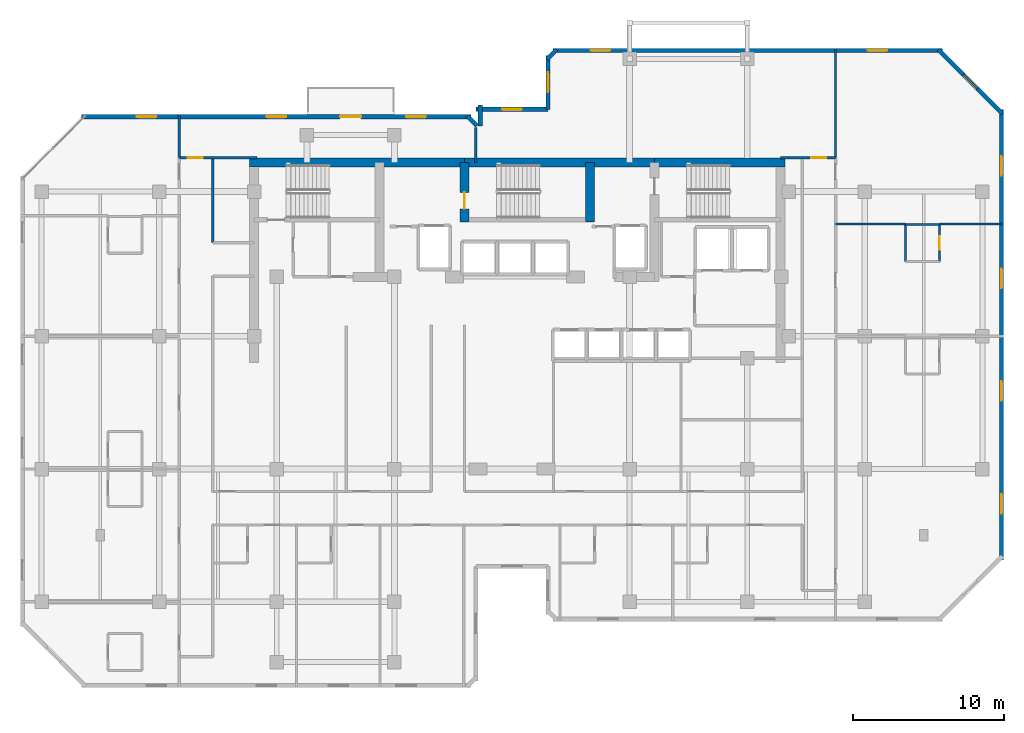
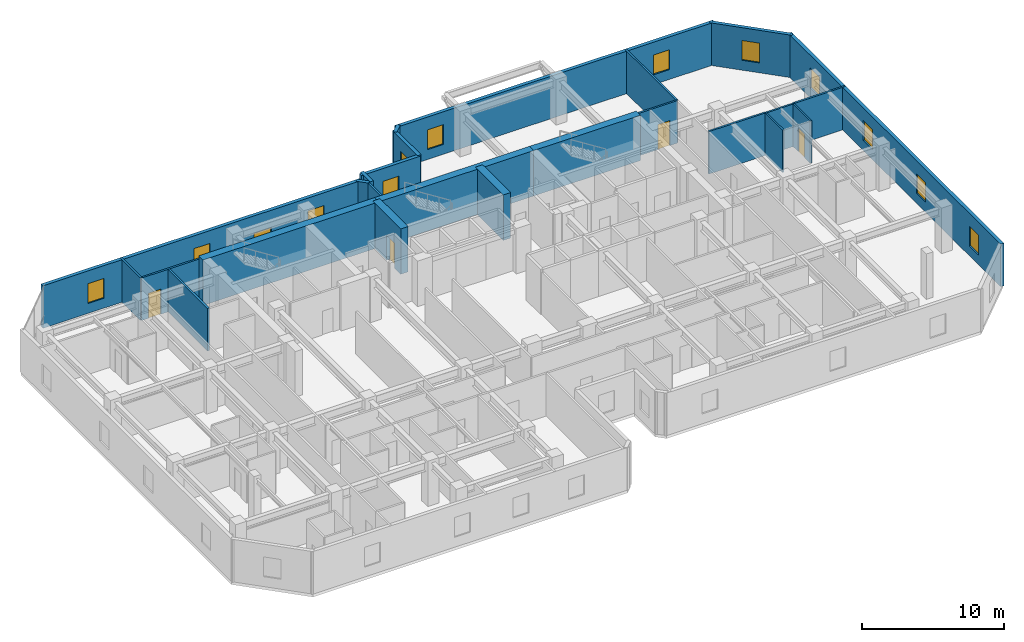
# One storey, part 8 of 10: 25 walls, 12 windows, 5 doors, 17 openings.
"""IFC4 building model written with IfcOpenShell, lengths in metres."""

from ifc_helpers import new_model, si_unit, direction, frame, frame_2d, origin, place, context, subcontext, project, spatial, rectangle, extrude, material, layer, layer_set, type_object, element, fill, save


model = new_model("IFC4")

# Units and contexts
model_context = context("Model", 3, precision=1e-05, world=origin(), true_north=direction((0.0, 1.0)))
body_context = subcontext(model_context, "Body", "Model", "MODEL_VIEW")
ifc_project = project(units=[si_unit("LENGTHUNIT", "METRE"), si_unit("AREAUNIT", "SQUARE_METRE"), si_unit("VOLUMEUNIT", "CUBIC_METRE"), si_unit("PLANEANGLEUNIT", "RADIAN"), si_unit("MASSUNIT", "GRAM", prefix="KILO")], contexts=[model_context])

# Site, building, storey
site_placement = place(None, origin())
site = spatial("IfcSite", under=ifc_project, at=site_placement, CompositionType="ELEMENT")
building_placement = place(site_placement, origin())
building = spatial("IfcBuilding", under=site, at=building_placement, Name="Kestravale Grand Hotel", CompositionType="ELEMENT")
storey_placement = place(building_placement, frame((0.0, 0.0, 216.300048828125)))
storey = spatial("IfcBuildingStorey", under=building, at=storey_placement, Name="L54", CompositionType="ELEMENT", Elevation=216.300048828125)

# Walls
ifc_material_1 = material(Name="Concrete f'c 50 MPa", Category="concrete")
ifc_layer_1 = layer(ifc_material_1, 0.60009765625)
ifc_layer_set_1 = layer_set([ifc_layer_1], Name="EW-CORE-600")
wall_type_1 = type_object("IfcWallType", Name="EW-CORE-600", PredefinedType="SHEAR", material=ifc_layer_set_1)
wall_1_placement = place(storey_placement, frame((21.60009765625, 40.320068359375, 0.0), z_axis=(0.0, 0.0, 1.0), x_axis=(1.0, 0.0, 0.0)))
element("IfcWall", 1, at=wall_1_placement, inside=storey, type_object=wall_type_1, Name="L54 core shear wall N1", PredefinedType="SHEAR", context=body_context, shape_type="SweptSolid", body=[
    extrude(rectangle(XDim=14.25, YDim=0.60009765625, at=frame_2d((7.125, 0.0))), origin(), (0.0, 0.0, 1.0), 3.89990234375),
])
wall_2_placement = place(storey_placement, frame((35.85009765625, 40.320068359375, 0.0), z_axis=(0.0, 0.0, 1.0), x_axis=(1.0, 0.0, 0.0)))
element("IfcWall", 2, at=wall_2_placement, inside=storey, type_object=wall_type_1, Name="L54 core shear wall N2", PredefinedType="SHEAR", context=body_context, shape_type="SweptSolid", body=[
    extrude(rectangle(XDim=12.599853515625, YDim=0.60009765625, at=frame_2d((6.2998046875, 0.0))), origin(), (0.0, 0.0, 1.0), 3.89990234375),
])
wall_3_placement = place(storey_placement, frame((48.449951171875, 40.320068359375, 0.0), z_axis=(0.0, 0.0, 1.0), x_axis=(1.0, 0.0, 0.0)))
element("IfcWall", 3, at=wall_3_placement, inside=storey, type_object=wall_type_1, Name="L54 core shear wall N3", PredefinedType="SHEAR", context=body_context, shape_type="SweptSolid", body=[
    extrude(rectangle(XDim=8.670166015625, YDim=0.60009765625, at=frame_2d((4.3349609375, 0.0))), origin(), (0.0, 0.0, 1.0), 3.89990234375),
])

# Wall, opening, door
wall_4_placement = place(storey_placement, frame((35.85009765625, 36.3701171875, 0.0), z_axis=(0.0, 0.0, 1.0), x_axis=(0.0, 1.0, 0.0)))
wall_4 = element("IfcWall", 4, at=wall_4_placement, inside=storey, type_object=wall_type_1, Name="L54 core shear wall X2", PredefinedType="SHEAR", context=body_context, shape_type="SweptSolid", body=[
    extrude(rectangle(XDim=3.949951171875, YDim=0.60009765625, at=frame_2d((1.97509765625, 0.0))), origin(), (0.0, 0.0, 1.0), 3.89990234375),
])
opening_1_placement = place(wall_4_placement, frame((0.8798828125, 0.0, 0.0)))
opening_1 = element("IfcOpeningElement", 5, at=opening_1_placement, cuts=wall_4, Name="Opening D-ST-1100", PredefinedType="OPENING", context=body_context, shape_type="SweptSolid", body=[
    extrude(rectangle(XDim=1.10009765625, YDim=2.14990234375, at=frame_2d((0.550048828125, 1.074951171875))), frame((0.0, 0.31005859375, 0.0), z_axis=(0.0, -1.0, 0.0), x_axis=(1.0, 0.0, 0.0)), (0.0, 0.0, 1.0), 0.6201171875),
])
ifc_material_2 = material(Name="Galvanised 90-minute fire-rated steel stair door", Category="steel")
door_type_1 = type_object("IfcDoorType", Name="D-ST-1100", OperationType="NOTDEFINED", PredefinedType="DOOR", material=ifc_material_2)
door_1_placement = place(opening_1_placement, origin())
door_1 = element("IfcDoor", 6, at=door_1_placement, inside=storey, type_object=door_type_1, Name="L54 Stair ST-2 FSAE fire door", OperationType="SINGLE_SWING_RIGHT", OverallHeight=2.14990234375, OverallWidth=1.10009765625, PredefinedType="DOOR", context=body_context, shape_type="SweptSolid", body=[
    extrude(rectangle(XDim=1.10009765625, YDim=2.14990234375, at=frame_2d((0.550048828125, 1.074951171875))), frame((0.0, 0.02490234375, 0.0), z_axis=(0.0, -1.0, 0.0), x_axis=(1.0, 0.0, 0.0)), (0.0, 0.0, 1.0), 0.050048828125),
])
fill(opening_1, door_1)

# Wall
wall_5_placement = place(storey_placement, frame((44.179931640625, 36.3701171875, 0.0), z_axis=(0.0, 0.0, 1.0), x_axis=(0.0, 1.0, 0.0)))
element("IfcWall", 7, at=wall_5_placement, inside=storey, type_object=wall_type_1, Name="L54 core shear wall X3", PredefinedType="SHEAR", context=body_context, shape_type="SweptSolid", body=[
    extrude(rectangle(XDim=3.949951171875, YDim=0.60009765625, at=frame_2d((1.97509765625, 0.0))), origin(), (0.0, 0.0, 1.0), 3.89990234375),
])

# Wall, openings, windows
ifc_material_3 = material(Name="Precast concrete f'c 45 MPa", Category="concrete")
ifc_layer_2 = layer(ifc_material_3, 0.280029296875)
ifc_layer_set_2 = layer_set([ifc_layer_2], Name="EW-PREC-280")
wall_type_2 = type_object("IfcWallType", Name="EW-PREC-280", PredefinedType="SOLIDWALL", material=ifc_layer_set_2)
wall_6_placement = place(storey_placement, frame((71.4599609375, 13.9599609375, 0.0), z_axis=(0.0, 0.0, 1.0), x_axis=(0.0, 1.0, 0.0)))
wall_6 = element("IfcWall", 8, at=wall_6_placement, inside=storey, type_object=wall_type_2, Name="L54 fluted precast facade wall 9", PredefinedType="SOLIDWALL", context=body_context, shape_type="SweptSolid", body=[
    extrude(rectangle(XDim=29.880126953125, YDim=0.280029296875, at=frame_2d((14.93994140625, 0.0))), origin(), (0.0, 0.0, 1.0), 3.64990234375),
])
opening_2_placement = place(wall_6_placement, frame((3.0849609375, 0.0, 0.85009765625)))
opening_2 = element("IfcOpeningElement", 9, at=opening_2_placement, cuts=wall_6, Name="Opening W-GUEST-1300", PredefinedType="OPENING", context=body_context, shape_type="SweptSolid", body=[
    extrude(rectangle(XDim=1.300048828125, YDim=1.699951171875, at=frame_2d((0.64990234375, 0.85009765625))), frame((0.0, 0.14990234375, 0.0), z_axis=(0.0, -1.0, 0.0), x_axis=(1.0, 0.0, 0.0)), (0.0, 0.0, 1.0), 0.300048828125),
])
opening_3_placement = place(wall_6_placement, frame((10.554931640625, 0.0, 0.85009765625)))
opening_3 = element("IfcOpeningElement", 10, at=opening_3_placement, cuts=wall_6, Name="Opening W-GUEST-1300", PredefinedType="OPENING", context=body_context, shape_type="SweptSolid", body=[
    extrude(rectangle(XDim=1.300048828125, YDim=1.699951171875, at=frame_2d((0.64990234375, 0.85009765625))), frame((0.0, 0.14990234375, 0.0), z_axis=(0.0, -1.0, 0.0), x_axis=(1.0, 0.0, 0.0)), (0.0, 0.0, 1.0), 0.300048828125),
])
opening_4_placement = place(wall_6_placement, frame((18.02490234375, 0.0, 0.85009765625)))
opening_4 = element("IfcOpeningElement", 11, at=opening_4_placement, cuts=wall_6, Name="Opening W-GUEST-1300", PredefinedType="OPENING", context=body_context, shape_type="SweptSolid", body=[
    extrude(rectangle(XDim=1.300048828125, YDim=1.699951171875, at=frame_2d((0.64990234375, 0.85009765625))), frame((0.0, 0.14990234375, 0.0), z_axis=(0.0, -1.0, 0.0), x_axis=(1.0, 0.0, 0.0)), (0.0, 0.0, 1.0), 0.300048828125),
])
opening_5_placement = place(wall_6_placement, frame((25.4951171875, 0.0, 0.85009765625)))
opening_5 = element("IfcOpeningElement", 12, at=opening_5_placement, cuts=wall_6, Name="Opening W-GUEST-1300", PredefinedType="OPENING", context=body_context, shape_type="SweptSolid", body=[
    extrude(rectangle(XDim=1.300048828125, YDim=1.699951171875, at=frame_2d((0.64990234375, 0.85009765625))), frame((0.0, 0.14990234375, 0.0), z_axis=(0.0, -1.0, 0.0), x_axis=(1.0, 0.0, 0.0)), (0.0, 0.0, 1.0), 0.300048828125),
])
ifc_material_4 = material(Name="Insulated low-E double glazing in aluminium frame", Category="aluminium")
window_type = type_object("IfcWindowType", Name="W-GUEST-1300", PartitioningType="SINGLE_PANEL", PredefinedType="WINDOW", material=ifc_material_4)
window_1_placement = place(opening_2_placement, origin())
window_1 = element("IfcWindow", 13, at=window_1_placement, inside=storey, type_object=window_type, Name="L54 exterior window 9.1", OverallHeight=1.699951171875, OverallWidth=1.300048828125, PartitioningType="SINGLE_PANEL", PredefinedType="WINDOW", context=body_context, shape_type="SweptSolid", body=[
    extrude(rectangle(XDim=1.300048828125, YDim=1.699951171875, at=frame_2d((0.64990234375, 0.85009765625))), frame((0.0, 0.030029296875, 0.0), z_axis=(0.0, -1.0, 0.0), x_axis=(1.0, 0.0, 0.0)), (0.0, 0.0, 1.0), 0.06005859375),
])
fill(opening_2, window_1)
window_2_placement = place(opening_3_placement, origin())
window_2 = element("IfcWindow", 14, at=window_2_placement, inside=storey, type_object=window_type, Name="L54 exterior window 9.2", OverallHeight=1.699951171875, OverallWidth=1.300048828125, PartitioningType="SINGLE_PANEL", PredefinedType="WINDOW", context=body_context, shape_type="SweptSolid", body=[
    extrude(rectangle(XDim=1.300048828125, YDim=1.699951171875, at=frame_2d((0.64990234375, 0.85009765625))), frame((0.0, 0.030029296875, 0.0), z_axis=(0.0, -1.0, 0.0), x_axis=(1.0, 0.0, 0.0)), (0.0, 0.0, 1.0), 0.06005859375),
])
fill(opening_3, window_2)
window_3_placement = place(opening_4_placement, origin())
window_3 = element("IfcWindow", 15, at=window_3_placement, inside=storey, type_object=window_type, Name="L54 exterior window 9.3", OverallHeight=1.699951171875, OverallWidth=1.300048828125, PartitioningType="SINGLE_PANEL", PredefinedType="WINDOW", context=body_context, shape_type="SweptSolid", body=[
    extrude(rectangle(XDim=1.300048828125, YDim=1.699951171875, at=frame_2d((0.64990234375, 0.85009765625))), frame((0.0, 0.030029296875, 0.0), z_axis=(0.0, -1.0, 0.0), x_axis=(1.0, 0.0, 0.0)), (0.0, 0.0, 1.0), 0.06005859375),
])
fill(opening_4, window_3)
window_4_placement = place(opening_5_placement, origin())
window_4 = element("IfcWindow", 16, at=window_4_placement, inside=storey, type_object=window_type, Name="L54 exterior window 9.4", OverallHeight=1.699951171875, OverallWidth=1.300048828125, PartitioningType="SINGLE_PANEL", PredefinedType="WINDOW", context=body_context, shape_type="SweptSolid", body=[
    extrude(rectangle(XDim=1.300048828125, YDim=1.699951171875, at=frame_2d((0.64990234375, 0.85009765625))), frame((0.0, 0.030029296875, 0.0), z_axis=(0.0, -1.0, 0.0), x_axis=(1.0, 0.0, 0.0)), (0.0, 0.0, 1.0), 0.06005859375),
])
fill(opening_5, window_4)

# Wall, opening, window
wall_7_placement = place(storey_placement, frame((71.529296875, 43.57275390625, 0.0), z_axis=(0.0, 0.0, 1.0), x_axis=(-0.707106781187, 0.707106781187, 0.0)))
wall_7 = element("IfcWall", 17, at=wall_7_placement, inside=storey, type_object=wall_type_2, Name="L54 fluted precast facade wall 10", PredefinedType="SOLIDWALL", context=body_context, shape_type="SweptSolid", body=[
    extrude(rectangle(XDim=6.019775390625, YDim=0.280029296875, at=frame_2d((3.009765625, 0.0))), origin(), (0.0, 0.0, 1.0), 3.64990234375),
])
opening_6_placement = place(wall_7_placement, frame((2.35986328125, 0.0, 0.85009765625)))
opening_6 = element("IfcOpeningElement", 18, at=opening_6_placement, cuts=wall_7, Name="Opening W-GUEST-1300", PredefinedType="OPENING", context=body_context, shape_type="SweptSolid", body=[
    extrude(rectangle(XDim=1.300048828125, YDim=1.699951171875, at=frame_2d((0.64990234375, 0.85009765625))), frame((0.0, 0.14990234375, 0.0), z_axis=(0.0, -1.0, 0.0), x_axis=(1.0, 0.0, 0.0)), (0.0, 0.0, 1.0), 0.300048828125),
])
window_5_placement = place(opening_6_placement, origin())
window_5 = element("IfcWindow", 19, at=window_5_placement, inside=storey, type_object=window_type, Name="L54 exterior window 10.1", OverallHeight=1.699951171875, OverallWidth=1.300048828125, PartitioningType="SINGLE_PANEL", PredefinedType="WINDOW", context=body_context, shape_type="SweptSolid", body=[
    extrude(rectangle(XDim=1.300048828125, YDim=1.699951171875, at=frame_2d((0.64990234375, 0.85009765625))), frame((0.0, 0.030029296875, 0.0), z_axis=(0.0, -1.0, 0.0), x_axis=(1.0, 0.0, 0.0)), (0.0, 0.0, 1.0), 0.06005859375),
])
fill(opening_6, window_5)

# Wall, openings, windows
wall_8_placement = place(storey_placement, frame((67.5400390625, 47.760009765625, 0.0), z_axis=(0.0, 0.0, 1.0), x_axis=(-1.0, 0.0, 0.0)))
wall_8 = element("IfcWall", 20, at=wall_8_placement, inside=storey, type_object=wall_type_2, Name="L54 fluted precast facade wall 11", PredefinedType="SOLIDWALL", context=body_context, shape_type="SweptSolid", body=[
    extrude(rectangle(XDim=25.830078125, YDim=0.280029296875, at=frame_2d((12.9150390625, 0.0))), origin(), (0.0, 0.0, 1.0), 3.64990234375),
])
opening_7_placement = place(wall_8_placement, frame((3.655029296875, 0.0, 0.85009765625)))
opening_7 = element("IfcOpeningElement", 21, at=opening_7_placement, cuts=wall_8, Name="Opening W-GUEST-1300", PredefinedType="OPENING", context=body_context, shape_type="SweptSolid", body=[
    extrude(rectangle(XDim=1.300048828125, YDim=1.699951171875, at=frame_2d((0.64990234375, 0.85009765625))), frame((0.0, 0.14990234375, 0.0), z_axis=(0.0, -1.0, 0.0), x_axis=(1.0, 0.0, 0.0)), (0.0, 0.0, 1.0), 0.300048828125),
])
opening_8_placement = place(wall_8_placement, frame((22.02490234375, 0.0, 0.85009765625)))
opening_8 = element("IfcOpeningElement", 22, at=opening_8_placement, cuts=wall_8, Name="Opening W-GUEST-1300", PredefinedType="OPENING", context=body_context, shape_type="SweptSolid", body=[
    extrude(rectangle(XDim=1.300048828125, YDim=1.699951171875, at=frame_2d((0.64990234375, 0.85009765625))), frame((0.0, 0.14990234375, 0.0), z_axis=(0.0, -1.0, 0.0), x_axis=(1.0, 0.0, 0.0)), (0.0, 0.0, 1.0), 0.300048828125),
])
window_6_placement = place(opening_7_placement, origin())
window_6 = element("IfcWindow", 23, at=window_6_placement, inside=storey, type_object=window_type, Name="L54 exterior window 11.1", OverallHeight=1.699951171875, OverallWidth=1.300048828125, PartitioningType="SINGLE_PANEL", PredefinedType="WINDOW", context=body_context, shape_type="SweptSolid", body=[
    extrude(rectangle(XDim=1.300048828125, YDim=1.699951171875, at=frame_2d((0.64990234375, 0.85009765625))), frame((0.0, 0.030029296875, 0.0), z_axis=(0.0, -1.0, 0.0), x_axis=(1.0, 0.0, 0.0)), (0.0, 0.0, 1.0), 0.06005859375),
])
fill(opening_7, window_6)
window_7_placement = place(opening_8_placement, origin())
window_7 = element("IfcWindow", 24, at=window_7_placement, inside=storey, type_object=window_type, Name="L54 exterior window 11.2", OverallHeight=1.699951171875, OverallWidth=1.300048828125, PartitioningType="SINGLE_PANEL", PredefinedType="WINDOW", context=body_context, shape_type="SweptSolid", body=[
    extrude(rectangle(XDim=1.300048828125, YDim=1.699951171875, at=frame_2d((0.64990234375, 0.85009765625))), frame((0.0, 0.030029296875, 0.0), z_axis=(0.0, -1.0, 0.0), x_axis=(1.0, 0.0, 0.0)), (0.0, 0.0, 1.0), 0.06005859375),
])
fill(opening_8, window_7)

# Wall
wall_9_placement = place(storey_placement, frame((41.977294921875, 47.829345703125, 0.0), z_axis=(0.0, 0.0, 1.0), x_axis=(-0.706975312048, -0.707238225886, 0.0)))
element("IfcWall", 25, at=wall_9_placement, inside=storey, type_object=wall_type_2, Name="L54 fluted precast facade wall 12", PredefinedType="SOLIDWALL", context=body_context, shape_type="SweptSolid", body=[
    extrude(rectangle(XDim=0.9287109375, YDim=0.280029296875, at=frame_2d((0.46435546875, 0.0))), origin(), (0.0, 0.0, 1.0), 3.64990234375),
])

# Wall, opening, window
wall_10_placement = place(storey_placement, frame((41.389892578125, 47.43994140625, 0.0), z_axis=(0.0, 0.0, 1.0), x_axis=(0.0, -1.0, 0.0)))
wall_10 = element("IfcWall", 26, at=wall_10_placement, inside=storey, type_object=wall_type_2, Name="L54 fluted precast facade wall 13", PredefinedType="SOLIDWALL", context=body_context, shape_type="SweptSolid", body=[
    extrude(rectangle(XDim=3.579833984375, YDim=0.280029296875, at=frame_2d((1.7900390625, 0.0))), origin(), (0.0, 0.0, 1.0), 3.64990234375),
])
opening_9_placement = place(wall_10_placement, frame((1.139892578125, 0.0, 0.85009765625)))
opening_9 = element("IfcOpeningElement", 27, at=opening_9_placement, cuts=wall_10, Name="Opening W-GUEST-1300", PredefinedType="OPENING", context=body_context, shape_type="SweptSolid", body=[
    extrude(rectangle(XDim=1.300048828125, YDim=1.699951171875, at=frame_2d((0.64990234375, 0.85009765625))), frame((0.0, 0.14990234375, 0.0), z_axis=(0.0, -1.0, 0.0), x_axis=(1.0, 0.0, 0.0)), (0.0, 0.0, 1.0), 0.300048828125),
])
window_8_placement = place(opening_9_placement, origin())
window_8 = element("IfcWindow", 28, at=window_8_placement, inside=storey, type_object=window_type, Name="L54 exterior window 13.1", OverallHeight=1.699951171875, OverallWidth=1.300048828125, PartitioningType="SINGLE_PANEL", PredefinedType="WINDOW", context=body_context, shape_type="SweptSolid", body=[
    extrude(rectangle(XDim=1.300048828125, YDim=1.699951171875, at=frame_2d((0.64990234375, 0.85009765625))), frame((0.0, 0.030029296875, 0.0), z_axis=(0.0, -1.0, 0.0), x_axis=(1.0, 0.0, 0.0)), (0.0, 0.0, 1.0), 0.06005859375),
])
fill(opening_9, window_8)

wall_11_placement = place(storey_placement, frame((41.389892578125, 43.860107421875, 0.0), z_axis=(0.0, 0.0, 1.0), x_axis=(-1.0, 0.0, 0.0)))
wall_11 = element("IfcWall", 29, at=wall_11_placement, inside=storey, type_object=wall_type_2, Name="L54 fluted precast facade wall 14", PredefinedType="SOLIDWALL", context=body_context, shape_type="SweptSolid", body=[
    extrude(rectangle(XDim=4.77978515625, YDim=0.280029296875, at=frame_2d((2.389892578125, 0.0))), origin(), (0.0, 0.0, 1.0), 3.64990234375),
])
opening_10_placement = place(wall_11_placement, frame((1.739990234375, 0.0, 0.85009765625)))
opening_10 = element("IfcOpeningElement", 30, at=opening_10_placement, cuts=wall_11, Name="Opening W-GUEST-1300", PredefinedType="OPENING", context=body_context, shape_type="SweptSolid", body=[
    extrude(rectangle(XDim=1.300048828125, YDim=1.699951171875, at=frame_2d((0.64990234375, 0.85009765625))), frame((0.0, 0.14990234375, 0.0), z_axis=(0.0, -1.0, 0.0), x_axis=(1.0, 0.0, 0.0)), (0.0, 0.0, 1.0), 0.300048828125),
])
window_9_placement = place(opening_10_placement, origin())
window_9 = element("IfcWindow", 31, at=window_9_placement, inside=storey, type_object=window_type, Name="L54 exterior window 14.1", OverallHeight=1.699951171875, OverallWidth=1.300048828125, PartitioningType="SINGLE_PANEL", PredefinedType="WINDOW", context=body_context, shape_type="SweptSolid", body=[
    extrude(rectangle(XDim=1.300048828125, YDim=1.699951171875, at=frame_2d((0.64990234375, 0.85009765625))), frame((0.0, 0.030029296875, 0.0), z_axis=(0.0, -1.0, 0.0), x_axis=(1.0, 0.0, 0.0)), (0.0, 0.0, 1.0), 0.06005859375),
])
fill(opening_10, window_9)

# Walls
wall_12_placement = place(storey_placement, frame((36.889892578125, 44.139892578125, 0.0), z_axis=(0.0, 0.0, 1.0), x_axis=(0.0, -1.0, 0.0)))
element("IfcWall", 32, at=wall_12_placement, inside=storey, type_object=wall_type_2, Name="L54 fluted precast facade wall 15", PredefinedType="SOLIDWALL", context=body_context, shape_type="SweptSolid", body=[
    extrude(rectangle(XDim=1.3798828125, YDim=0.280029296875, at=frame_2d((0.68994140625, 0.0))), origin(), (0.0, 0.0, 1.0), 3.64990234375),
])
wall_13_placement = place(storey_placement, frame((36.67919921875, 42.772705078125, 0.0), z_axis=(0.0, 0.0, 1.0), x_axis=(-0.707106781187, 0.707106781187, 0.0)))
element("IfcWall", 33, at=wall_13_placement, inside=storey, type_object=wall_type_2, Name="L54 fluted precast facade wall 16", PredefinedType="SOLIDWALL", context=body_context, shape_type="SweptSolid", body=[
    extrude(rectangle(XDim=0.928466796875, YDim=0.280029296875, at=frame_2d((0.46435546875, 0.0))), origin(), (0.0, 0.0, 1.0), 3.64990234375),
])

# Wall, openings, door, windows
wall_14_placement = place(storey_placement, frame((36.2900390625, 43.360107421875, 0.0), z_axis=(0.0, 0.0, 1.0), x_axis=(-1.0, 0.0, 0.0)))
wall_14 = element("IfcWall", 34, at=wall_14_placement, inside=storey, type_object=wall_type_2, Name="L54 fluted precast facade wall 17", PredefinedType="SOLIDWALL", context=body_context, shape_type="SweptSolid", body=[
    extrude(rectangle(XDim=25.830078125, YDim=0.280029296875, at=frame_2d((12.9150390625, 0.0))), origin(), (0.0, 0.0, 1.0), 3.64990234375),
])
opening_11_placement = place(wall_14_placement, frame((7.2900390625, 0.0, 0.0)))
opening_11 = element("IfcOpeningElement", 35, at=opening_11_placement, cuts=wall_14, Name="Opening D-TERR-1400", PredefinedType="OPENING", context=body_context, shape_type="SweptSolid", body=[
    extrude(rectangle(XDim=1.39990234375, YDim=2.14990234375, at=frame_2d((0.699951171875, 1.074951171875))), frame((0.0, 0.14990234375, 0.0), z_axis=(0.0, -1.0, 0.0), x_axis=(1.0, 0.0, 0.0)), (0.0, 0.0, 1.0), 0.300048828125),
])
opening_12_placement = place(wall_14_placement, frame((3.0048828125, 0.0, 0.85009765625)))
opening_12 = element("IfcOpeningElement", 36, at=opening_12_placement, cuts=wall_14, Name="Opening W-GUEST-1300", PredefinedType="OPENING", context=body_context, shape_type="SweptSolid", body=[
    extrude(rectangle(XDim=1.300048828125, YDim=1.699951171875, at=frame_2d((0.64990234375, 0.85009765625))), frame((0.0, 0.14990234375, 0.0), z_axis=(0.0, -1.0, 0.0), x_axis=(1.0, 0.0, 0.0)), (0.0, 0.0, 1.0), 0.300048828125),
])
opening_13_placement = place(wall_14_placement, frame((12.264892578125, 0.0, 0.85009765625)))
opening_13 = element("IfcOpeningElement", 37, at=opening_13_placement, cuts=wall_14, Name="Opening W-GUEST-1300", PredefinedType="OPENING", context=body_context, shape_type="SweptSolid", body=[
    extrude(rectangle(XDim=1.300048828125, YDim=1.699951171875, at=frame_2d((0.64990234375, 0.85009765625))), frame((0.0, 0.14990234375, 0.0), z_axis=(0.0, -1.0, 0.0), x_axis=(1.0, 0.0, 0.0)), (0.0, 0.0, 1.0), 0.300048828125),
])
opening_14_placement = place(wall_14_placement, frame((20.875, 0.0, 0.85009765625)))
opening_14 = element("IfcOpeningElement", 38, at=opening_14_placement, cuts=wall_14, Name="Opening W-GUEST-1300", PredefinedType="OPENING", context=body_context, shape_type="SweptSolid", body=[
    extrude(rectangle(XDim=1.300048828125, YDim=1.699951171875, at=frame_2d((0.64990234375, 0.85009765625))), frame((0.0, 0.14990234375, 0.0), z_axis=(0.0, -1.0, 0.0), x_axis=(1.0, 0.0, 0.0)), (0.0, 0.0, 1.0), 0.300048828125),
])
ifc_material_5 = material(Name="Insulated glazed champagne-bronze aluminium door", Category="aluminium")
door_type_2 = type_object("IfcDoorType", Name="D-TERR-1400", OperationType="NOTDEFINED", PredefinedType="DOOR", material=ifc_material_5)
door_2_placement = place(opening_11_placement, origin())
door_2 = element("IfcDoor", 39, at=door_2_placement, inside=storey, type_object=door_type_2, Name="L54 outdoor garden terrace door", OperationType="DOUBLE_DOOR_SINGLE_SWING", OverallHeight=2.14990234375, OverallWidth=1.39990234375, PredefinedType="DOOR", context=body_context, shape_type="SweptSolid", body=[
    extrude(rectangle(XDim=1.39990234375, YDim=2.14990234375, at=frame_2d((0.699951171875, 1.074951171875))), frame((0.0, 0.02490234375, 0.0), z_axis=(0.0, -1.0, 0.0), x_axis=(1.0, 0.0, 0.0)), (0.0, 0.0, 1.0), 0.050048828125),
])
fill(opening_11, door_2)
window_10_placement = place(opening_12_placement, origin())
window_10 = element("IfcWindow", 40, at=window_10_placement, inside=storey, type_object=window_type, Name="L54 exterior window 17.1", OverallHeight=1.699951171875, OverallWidth=1.300048828125, PartitioningType="SINGLE_PANEL", PredefinedType="WINDOW", context=body_context, shape_type="SweptSolid", body=[
    extrude(rectangle(XDim=1.300048828125, YDim=1.699951171875, at=frame_2d((0.64990234375, 0.85009765625))), frame((0.0, 0.030029296875, 0.0), z_axis=(0.0, -1.0, 0.0), x_axis=(1.0, 0.0, 0.0)), (0.0, 0.0, 1.0), 0.06005859375),
])
fill(opening_12, window_10)
window_11_placement = place(opening_13_placement, origin())
window_11 = element("IfcWindow", 41, at=window_11_placement, inside=storey, type_object=window_type, Name="L54 exterior window 17.2", OverallHeight=1.699951171875, OverallWidth=1.300048828125, PartitioningType="SINGLE_PANEL", PredefinedType="WINDOW", context=body_context, shape_type="SweptSolid", body=[
    extrude(rectangle(XDim=1.300048828125, YDim=1.699951171875, at=frame_2d((0.64990234375, 0.85009765625))), frame((0.0, 0.030029296875, 0.0), z_axis=(0.0, -1.0, 0.0), x_axis=(1.0, 0.0, 0.0)), (0.0, 0.0, 1.0), 0.06005859375),
])
fill(opening_13, window_11)
window_12_placement = place(opening_14_placement, origin())
window_12 = element("IfcWindow", 42, at=window_12_placement, inside=storey, type_object=window_type, Name="L54 exterior window 17.3", OverallHeight=1.699951171875, OverallWidth=1.300048828125, PartitioningType="SINGLE_PANEL", PredefinedType="WINDOW", context=body_context, shape_type="SweptSolid", body=[
    extrude(rectangle(XDim=1.300048828125, YDim=1.699951171875, at=frame_2d((0.64990234375, 0.85009765625))), frame((0.0, 0.030029296875, 0.0), z_axis=(0.0, -1.0, 0.0), x_axis=(1.0, 0.0, 0.0)), (0.0, 0.0, 1.0), 0.06005859375),
])
fill(opening_14, window_12)

# Walls
ifc_material_6 = material(Name="Acoustic fire-rated gypsum board partition", Category="other")
ifc_layer_3 = layer(ifc_material_6, 0.159912109375)
ifc_layer_set_3 = layer_set([ifc_layer_3], Name="IW-CORR-160")
wall_type_3 = type_object("IfcWallType", Name="IW-CORR-160", PredefinedType="PARTITIONING", material=ifc_layer_set_3)
wall_15_placement = place(storey_placement, frame((19.159912109375, 35.02001953125, 0.0), z_axis=(0.0, 0.0, 1.0), x_axis=(0.0, 1.0, 0.0)))
element("IfcWall", 43, at=wall_15_placement, inside=storey, type_object=wall_type_3, Name="W-L54-SW-EN", PredefinedType="PARTITIONING", context=body_context, shape_type="SweptSolid", body=[
    extrude(rectangle(XDim=5.6298828125, YDim=0.159912109375, at=frame_2d((2.81494140625, 0.0))), origin(), (0.0, 0.0, 1.0), 3.64990234375),
])
ifc_material_7 = material(Name="Moisture-resistant tile-backer plumbing chase wall", Category="other")
ifc_layer_4 = layer(ifc_material_7, 0.139892578125)
ifc_layer_set_4 = layer_set([ifc_layer_4], Name="IW-PLB-140")
wall_type_4 = type_object("IfcWallType", Name="IW-PLB-140", PredefinedType="PLUMBINGWALL", material=ifc_layer_set_4)
wall_16_placement = place(storey_placement, frame((65.10009765625, 33.760009765625, 0.0), z_axis=(0.0, 0.0, 1.0), x_axis=(0.0, 1.0, 0.0)))
element("IfcWall", 44, at=wall_16_placement, inside=storey, type_object=wall_type_4, Name="W-L54-U10-BW", PredefinedType="PLUMBINGWALL", context=body_context, shape_type="SweptSolid", body=[
    extrude(rectangle(XDim=2.449951171875, YDim=0.139892578125, at=frame_2d((1.22509765625, 0.0))), origin(), (0.0, 0.0, 1.0), 3.64990234375),
])

# Wall, opening, door
wall_17_placement = place(storey_placement, frame((67.35009765625, 33.760009765625, 0.0), z_axis=(0.0, 0.0, 1.0), x_axis=(0.0, 1.0, 0.0)))
wall_17 = element("IfcWall", 45, at=wall_17_placement, inside=storey, type_object=wall_type_4, Name="W-L54-U10-BE", PredefinedType="PLUMBINGWALL", context=body_context, shape_type="SweptSolid", body=[
    extrude(rectangle(XDim=2.449951171875, YDim=0.139892578125, at=frame_2d((1.22509765625, 0.0))), origin(), (0.0, 0.0, 1.0), 3.64990234375),
])
opening_15_placement = place(wall_17_placement, frame((0.784912109375, 0.0, 0.0)))
opening_15 = element("IfcOpeningElement", 46, at=opening_15_placement, cuts=wall_17, Name="Opening D-BATH-880", PredefinedType="OPENING", context=body_context, shape_type="SweptSolid", body=[
    extrude(rectangle(XDim=0.8798828125, YDim=2.050048828125, at=frame_2d((0.43994140625, 1.02490234375))), frame((0.0, 0.079833984375, 0.0), z_axis=(0.0, -1.0, 0.0), x_axis=(1.0, 0.0, 0.0)), (0.0, 0.0, 1.0), 0.159912109375),
])
ifc_material_8 = material(Name="Moisture-sealed walnut en-suite bathroom door", Category="wood")
door_type_3 = type_object("IfcDoorType", Name="D-BATH-880", OperationType="NOTDEFINED", PredefinedType="DOOR", material=ifc_material_8)
door_3_placement = place(opening_15_placement, origin())
door_3 = element("IfcDoor", 47, at=door_3_placement, inside=storey, type_object=door_type_3, Name="D-L54-U10-BATH", OperationType="SINGLE_SWING_RIGHT", OverallHeight=2.050048828125, OverallWidth=0.8798828125, PredefinedType="DOOR", context=body_context, shape_type="SweptSolid", body=[
    extrude(rectangle(XDim=0.8798828125, YDim=2.050048828125, at=frame_2d((0.43994140625, 1.02490234375))), frame((0.0, 0.02490234375, 0.0), z_axis=(0.0, -1.0, 0.0), x_axis=(1.0, 0.0, 0.0)), (0.0, 0.0, 1.0), 0.050048828125),
])
fill(opening_15, door_3)

# Wall
wall_18_placement = place(storey_placement, frame((65.10009765625, 36.2099609375, 0.0), z_axis=(0.0, 0.0, 1.0), x_axis=(1.0, 0.0, 0.0)))
element("IfcWall", 48, at=wall_18_placement, inside=storey, type_object=wall_type_4, Name="W-L54-U10-BN", PredefinedType="PLUMBINGWALL", context=body_context, shape_type="SweptSolid", body=[
    extrude(rectangle(XDim=2.25, YDim=0.139892578125, at=frame_2d((1.125, 0.0))), origin(), (0.0, 0.0, 1.0), 3.64990234375),
])

# Wall, opening, door
ifc_material_9 = material(Name="Double-stud STC 52 acoustic demising partition", Category="other")
ifc_layer_5 = layer(ifc_material_9, 0.14990234375)
ifc_layer_set_5 = layer_set([ifc_layer_5], Name="IW-UNIT-150")
wall_type_5 = type_object("IfcWallType", Name="IW-UNIT-150", PredefinedType="PARTITIONING", material=ifc_layer_set_5)
wall_19_placement = place(storey_placement, frame((16.93994140625, 40.64990234375, 0.0), z_axis=(0.0, 0.0, 1.0), x_axis=(1.0, 0.0, 0.0)))
wall_19 = element("IfcWall", 49, at=wall_19_placement, inside=storey, type_object=wall_type_5, Name="W-L54-SW-N", PredefinedType="PARTITIONING", context=body_context, shape_type="SweptSolid", body=[
    extrude(rectangle(XDim=5.16015625, YDim=0.14990234375, at=frame_2d((2.580078125, 0.0))), origin(), (0.0, 0.0, 1.0), 3.64990234375),
])
opening_16_placement = place(wall_19_placement, frame((0.550048828125, 0.0, 0.0)))
opening_16 = element("IfcOpeningElement", 50, at=opening_16_placement, cuts=wall_19, Name="Opening D-GUEST-1000", PredefinedType="OPENING", context=body_context, shape_type="SweptSolid", body=[
    extrude(rectangle(XDim=1.0, YDim=2.14990234375, at=frame_2d((0.5, 1.074951171875))), frame((0.0, 0.0849609375, 0.0), z_axis=(0.0, -1.0, 0.0), x_axis=(1.0, 0.0, 0.0)), (0.0, 0.0, 1.0), 0.169921875),
])
ifc_material_10 = material(Name="Accessible walnut veneer hotel entrance fire door", Category="wood")
door_type_4 = type_object("IfcDoorType", Name="D-GUEST-1000", OperationType="NOTDEFINED", PredefinedType="DOOR", material=ifc_material_10)
door_4_placement = place(opening_16_placement, origin())
door_4 = element("IfcDoor", 51, at=door_4_placement, inside=storey, type_object=door_type_4, Name="L54 NW Gallery Door", OperationType="SINGLE_SWING_RIGHT", OverallHeight=2.14990234375, OverallWidth=1.0, PredefinedType="DOOR", context=body_context, shape_type="SweptSolid", body=[
    extrude(rectangle(XDim=1.0, YDim=2.14990234375, at=frame_2d((0.5, 1.074951171875))), frame((0.0, 0.02490234375, 0.0), z_axis=(0.0, -1.0, 0.0), x_axis=(1.0, 0.0, 0.0)), (0.0, 0.0, 1.0), 0.050048828125),
])
fill(opening_16, door_4)

wall_20_placement = place(storey_placement, frame((56.800048828125, 40.64990234375, 0.0), z_axis=(0.0, 0.0, 1.0), x_axis=(1.0, 0.0, 0.0)))
wall_20 = element("IfcWall", 52, at=wall_20_placement, inside=storey, type_object=wall_type_5, Name="W-L54-SE-N", PredefinedType="PARTITIONING", context=body_context, shape_type="SweptSolid", body=[
    extrude(rectangle(XDim=3.659912109375, YDim=0.14990234375, at=frame_2d((1.830078125, 0.0))), origin(), (0.0, 0.0, 1.0), 3.64990234375),
])
opening_17_placement = place(wall_20_placement, frame((2.050048828125, 0.0, 0.0)))
opening_17 = element("IfcOpeningElement", 53, at=opening_17_placement, cuts=wall_20, Name="Opening D-GUEST-1000", PredefinedType="OPENING", context=body_context, shape_type="SweptSolid", body=[
    extrude(rectangle(XDim=1.0, YDim=2.14990234375, at=frame_2d((0.5, 1.074951171875))), frame((0.0, 0.0849609375, 0.0), z_axis=(0.0, -1.0, 0.0), x_axis=(1.0, 0.0, 0.0)), (0.0, 0.0, 1.0), 0.169921875),
])
door_5_placement = place(opening_17_placement, origin())
door_5 = element("IfcDoor", 54, at=door_5_placement, inside=storey, type_object=door_type_4, Name="L54 NE Gallery Door", OperationType="SINGLE_SWING_LEFT", OverallHeight=2.14990234375, OverallWidth=1.0, PredefinedType="DOOR", context=body_context, shape_type="SweptSolid", body=[
    extrude(rectangle(XDim=1.0, YDim=2.14990234375, at=frame_2d((0.5, 1.074951171875))), frame((0.0, 0.02490234375, 0.0), z_axis=(0.0, -1.0, 0.0), x_axis=(1.0, 0.0, 0.0)), (0.0, 0.0, 1.0), 0.050048828125),
])
fill(opening_17, door_5)

# Walls
wall_21_placement = place(storey_placement, frame((16.93994140625, 40.64990234375, 0.0), z_axis=(0.0, 0.0, 1.0), x_axis=(0.0, 1.0, 0.0)))
element("IfcWall", 55, at=wall_21_placement, inside=storey, type_object=wall_type_5, Name="W-L54-NGW-W", PredefinedType="PARTITIONING", context=body_context, shape_type="SweptSolid", body=[
    extrude(rectangle(XDim=2.830078125, YDim=0.14990234375, at=frame_2d((1.4150390625, 0.0))), origin(), (0.0, 0.0, 1.0), 3.64990234375),
])
wall_22_placement = place(storey_placement, frame((36.60009765625, 40.320068359375, 0.0), z_axis=(0.0, 0.0, 1.0), x_axis=(0.0, 1.0, 0.0)))
element("IfcWall", 56, at=wall_22_placement, inside=storey, type_object=wall_type_5, Name="W-L54-NGM", PredefinedType="PARTITIONING", context=body_context, shape_type="SweptSolid", body=[
    extrude(rectangle(XDim=2.344970703125, YDim=0.14990234375, at=frame_2d((1.17236328125, 0.0))), origin(), (0.0, 0.0, 1.0), 3.64990234375),
])
wall_23_placement = place(storey_placement, frame((60.4599609375, 40.64990234375, 0.0), z_axis=(0.0, 0.0, 1.0), x_axis=(0.0, 1.0, 0.0)))
element("IfcWall", 57, at=wall_23_placement, inside=storey, type_object=wall_type_5, Name="W-L54-NGE-E", PredefinedType="PARTITIONING", context=body_context, shape_type="SweptSolid", body=[
    extrude(rectangle(XDim=7.22998046875, YDim=0.14990234375, at=frame_2d((3.614990234375, 0.0))), origin(), (0.0, 0.0, 1.0), 3.64990234375),
])
wall_24_placement = place(storey_placement, frame((60.4599609375, 36.25, 0.0), z_axis=(0.0, 0.0, 1.0), x_axis=(1.0, 0.0, 0.0)))
element("IfcWall", 58, at=wall_24_placement, inside=storey, type_object=wall_type_5, Name="W-L54-EW-2", PredefinedType="PARTITIONING", context=body_context, shape_type="SweptSolid", body=[
    extrude(rectangle(XDim=4.64013671875, YDim=0.14990234375, at=frame_2d((2.320068359375, 0.0))), origin(), (0.0, 0.0, 1.0), 3.64990234375),
])
wall_25_placement = place(storey_placement, frame((67.35009765625, 36.25, 0.0), z_axis=(0.0, 0.0, 1.0), x_axis=(1.0, 0.0, 0.0)))
element("IfcWall", 59, at=wall_25_placement, inside=storey, type_object=wall_type_5, Name="W-L54-EW-2", PredefinedType="PARTITIONING", context=body_context, shape_type="SweptSolid", body=[
    extrude(rectangle(XDim=4.22998046875, YDim=0.14990234375, at=frame_2d((2.114990234375, 0.0))), origin(), (0.0, 0.0, 1.0), 3.64990234375),
])

save(model, "model.ifc")
